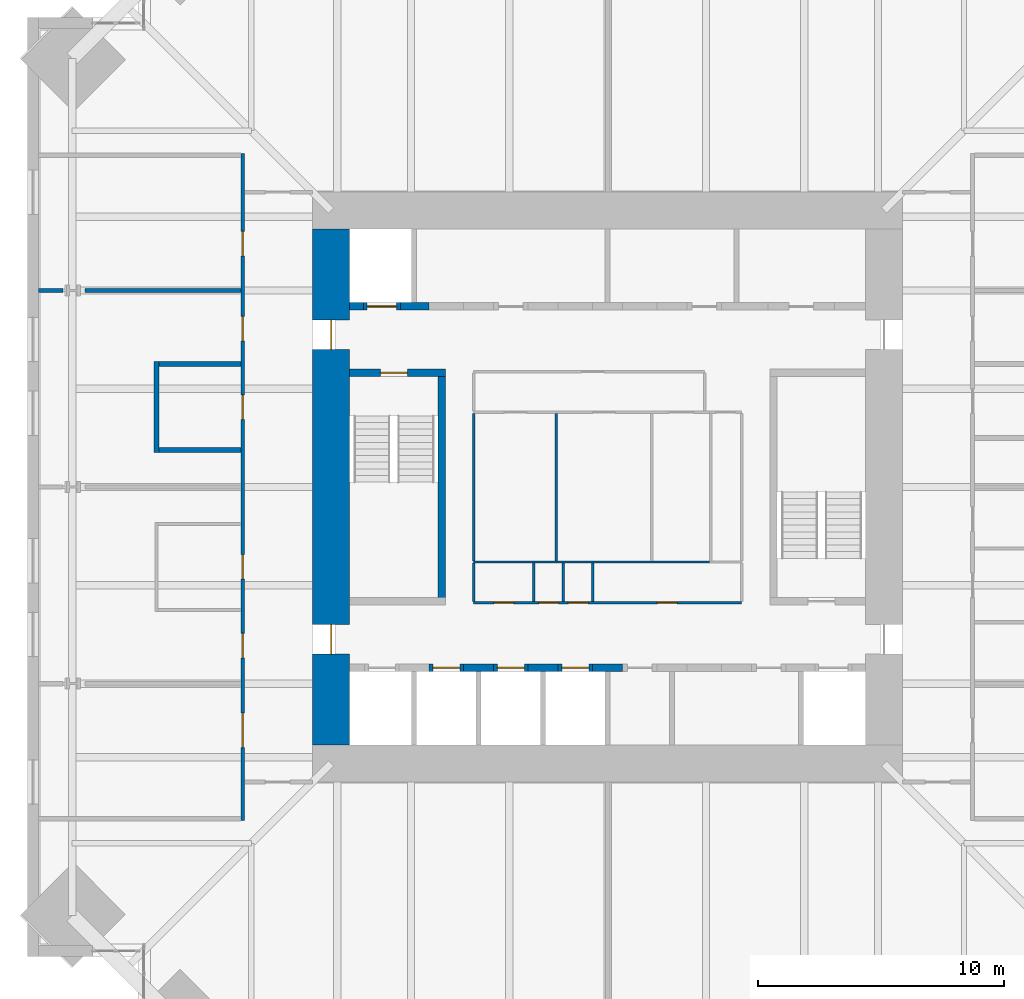
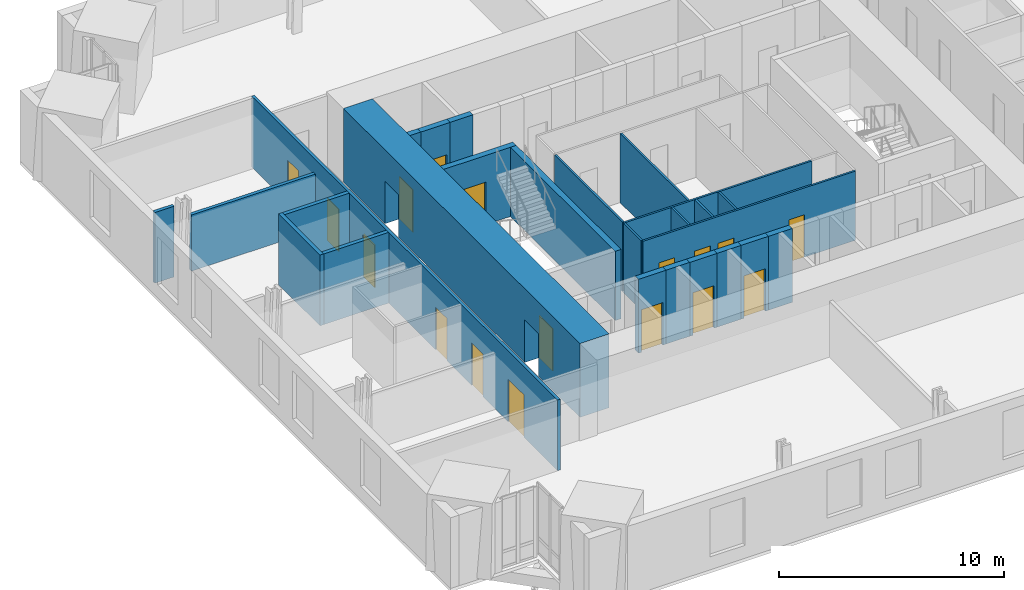
# One storey, part 11 of 15: 26 walls, 17 doors, 17 openings.
"""IFC4 building model written with IfcOpenShell, lengths in metres."""

import ifcopenshell
import ifcopenshell.guid

model = None  # the IFC model being written
_history = None  # IfcOwnerHistory: only IFC2X3 demands one
_inside = {}  # id of a spatial element -> (the spatial element, [elements in it])
_under = {}  # id of a project, library or spatial element -> (it, [spatial elements below it])
_declared = {}  # id of a project -> (the project, [libraries it declares])
_typed = {}  # id of a type object -> (the type object, [elements of that type])
_made_of = {}  # id of a material, layer set ... -> (it, [elements and type objects made of it])


def new_model(schema):
    """Start an empty IFC model of exactly this schema.

    Asked for "IFC4X3", IfcOpenShell would pick the latest addendum, in which some entities
    have other attributes; the version numbers below select the first issue.
    IFC2X3 requires an IfcOwnerHistory on every rooted entity: one is made here for all.
    """
    global model, _history
    if schema == "IFC4X3":
        model = ifcopenshell.file(schema_version=(4, 3, 0, 0))
    else:
        model = ifcopenshell.file(schema=schema)
    _inside.clear()
    _under.clear()
    _declared.clear()
    _typed.clear()
    _made_of.clear()
    _history = None
    if model.schema == "IFC2X3":
        org = make("IfcOrganization", Name="unknown")
        user = make(
            "IfcPersonAndOrganization",
            ThePerson=make("IfcPerson", FamilyName="unknown"),
            TheOrganization=org,
        )
        app = make(
            "IfcApplication",
            ApplicationDeveloper=org,
            Version="unknown",
            ApplicationFullName="unknown",
            ApplicationIdentifier="unknown",
        )
        _history = make(
            "IfcOwnerHistory",
            OwningUser=user,
            OwningApplication=app,
            ChangeAction="ADDED",
            CreationDate=0,
        )
    return model


def make(cls, **values):
    """One entity of the class cls with the attributes given. An attribute that is None is left unset."""
    return model.create_entity(
        cls, **{name: value for name, value in values.items() if value is not None}
    )


def rooted(cls, **values):
    """An entity with a GlobalId (a new one), such as an element, a storey or a relation."""
    return make(cls, GlobalId=ifcopenshell.guid.new(), OwnerHistory=_history, **values)


def si_unit(unit_type, name, prefix=None):
    """IfcSIUnit, for example si_unit("LENGTHUNIT", "METRE", prefix="MILLI")."""
    return make("IfcSIUnit", UnitType=unit_type, Prefix=prefix, Name=name)


def assignment(units):
    """IfcUnitAssignment: the units of a project."""
    return None if units is None else make("IfcUnitAssignment", Units=units)


def point(xyz):
    """IfcCartesianPoint."""
    return None if xyz is None else make("IfcCartesianPoint", Coordinates=xyz)


def direction(xyz):
    """IfcDirection."""
    return None if xyz is None else make("IfcDirection", DirectionRatios=xyz)


def frame(location, z_axis=None, x_axis=None):
    """IfcAxis2Placement3D, a coordinate frame: its origin and axes. An axis left out is left unset."""
    return make(
        "IfcAxis2Placement3D",
        Location=point(location),
        Axis=direction(z_axis),
        RefDirection=direction(x_axis),
    )


def frame_2d(location, x_axis=None):
    """IfcAxis2Placement2D, a coordinate frame in the plane: its origin and x axis."""
    return make(
        "IfcAxis2Placement2D", Location=point(location), RefDirection=direction(x_axis)
    )


def origin():
    """The frame at (0, 0, 0) with its axes left unset."""
    return frame((0.0, 0.0, 0.0))


def place(relative_to, where):
    """IfcLocalPlacement: puts the frame where relative to a parent placement (None: the world)."""
    return make(
        "IfcLocalPlacement", PlacementRelTo=relative_to, RelativePlacement=where
    )


def context(
    kind, dimensions, precision=None, world=None, true_north=None, identifier=None
):
    """IfcGeometricRepresentationContext, for example the 3D "Model" context."""
    return make(
        "IfcGeometricRepresentationContext",
        ContextIdentifier=identifier,
        ContextType=kind,
        CoordinateSpaceDimension=dimensions,
        Precision=precision,
        WorldCoordinateSystem=world,
        TrueNorth=true_north,
    )


def subcontext(parent, identifier, kind, view, scale=None):
    """IfcGeometricRepresentationSubContext, for example "Body" below "Model"."""
    return make(
        "IfcGeometricRepresentationSubContext",
        ContextIdentifier=identifier,
        ContextType=kind,
        ParentContext=parent,
        TargetScale=scale,
        TargetView=view,
    )


def project(units=None, contexts=None):
    """IfcProject with its units and contexts."""
    return rooted(
        "IfcProject",
        Name="project",
        RepresentationContexts=contexts,
        UnitsInContext=assignment(units),
    )


def spatial(cls, under=None, at=None, **own):
    """A site, building, storey or space (cls), placed at a placement, below another one or the project."""
    s = rooted(cls, ObjectPlacement=at, **own)
    if under is not None:
        _under.setdefault(under.id(), (under, []))[1].append(s)
    return s


def profile(cls, at=None, kind="AREA", **sizes):
    """A parametric profile (cls). Its sizes go by their IFC names, for example OverallWidth=200.0."""
    return make(cls, ProfileType=kind, Position=at, **sizes)


def rectangle(**sizes):
    """IfcRectangleProfileDef."""
    return profile("IfcRectangleProfileDef", **sizes)


def extrude(swept, where, along, depth):
    """IfcExtrudedAreaSolid: the profile swept, set in the frame where, extruded along a direction by depth."""
    return make(
        "IfcExtrudedAreaSolid",
        SweptArea=swept,
        Position=where,
        ExtrudedDirection=direction(along),
        Depth=depth,
    )


def shape(context_of_items, identifier, shape_type, items):
    """IfcShapeRepresentation: the items that make up one representation, for example the "Body"."""
    return make(
        "IfcShapeRepresentation",
        ContextOfItems=context_of_items,
        RepresentationIdentifier=identifier,
        RepresentationType=shape_type,
        Items=items,
    )


def material(Name=None, Category=None):
    """IfcMaterial."""
    return make("IfcMaterial", Name=Name, Category=Category)


def layer(
    of_material, thickness, ventilated=None, Name=None, Category=None, Priority=None
):
    """IfcMaterialLayer: one layer of a wall or slab, of a material (None: an air gap)."""
    return make(
        "IfcMaterialLayer",
        Material=of_material,
        LayerThickness=thickness,
        IsVentilated=ventilated,
        Name=Name,
        Category=Category,
        Priority=Priority,
    )


def layer_set(layers, Name=None):
    """IfcMaterialLayerSet."""
    return make("IfcMaterialLayerSet", MaterialLayers=layers, LayerSetName=Name)


def made_of(thing, what):
    """Note that an element or type object is made of a material, layer set ...; save() writes the relation."""
    if what is not None:
        _made_of.setdefault(what.id(), (what, []))[1].append(thing)
    return thing


def type_object(cls, material=None, **own):
    """A type object (cls), such as IfcWallType, which elements share."""
    return made_of(rooted(cls, **own), material)


def element(
    cls,
    number,
    at=None,
    inside=None,
    cuts=None,
    type_object=None,
    material=None,
    context=None,
    identifier="Body",
    shape_type=None,
    held_by="IfcProductDefinitionShape",
    body=None,
    shapes=None,
    **own,
):
    """One element of the class cls, such as IfcWall. Its Tag is "e" and its number.

    at: its placement. inside: the storey or other place that contains it. cuts: it is an
    opening in that element (IfcRelVoidsElement). A single representation is given by context,
    identifier, shape_type and body (its items); several are given by shapes. held_by: the class
    of the entity that holds the representations. save() writes the other relations.
    """
    e = rooted(cls, Tag="e%d" % number, ObjectPlacement=at, **own)
    if body is not None:
        shapes = [shape(context, identifier, shape_type, body)]
    if shapes is not None:
        e.Representation = make(held_by, Representations=shapes)
    if inside is not None:
        _inside.setdefault(inside.id(), (inside, []))[1].append(e)
    if cuts is not None:
        rooted(
            "IfcRelVoidsElement", RelatingBuildingElement=cuts, RelatedOpeningElement=e
        )
    if type_object is not None:
        _typed.setdefault(type_object.id(), (type_object, []))[1].append(e)
    return made_of(e, material)


def fill(opening, filler):
    """IfcRelFillsElement: the door or window that sits in an opening."""
    return rooted(
        "IfcRelFillsElement",
        RelatingOpeningElement=opening,
        RelatedBuildingElement=filler,
    )


def aggregate(whole, parts):
    """IfcRelAggregates: a whole, such as a stair, and the parts it consists of."""
    return rooted("IfcRelAggregates", RelatingObject=whole, RelatedObjects=parts)


def save(model, path):
    """Write the relations noted so far, then the file.

    IfcRelAggregates (storeys below a building ...), IfcRelContainedInSpatialStructure (elements
    in a storey), IfcRelDefinesByType, IfcRelAssociatesMaterial and IfcRelDeclares: one each for
    every whole, place, type object, material and project.
    """
    for whole, parts in _under.values():
        aggregate(whole, parts)
    for where, things in _inside.values():
        rooted(
            "IfcRelContainedInSpatialStructure",
            RelatedElements=things,
            RelatingStructure=where,
        )
    for kind, things in _typed.values():
        rooted("IfcRelDefinesByType", RelatedObjects=things, RelatingType=kind)
    for what, things in _made_of.values():
        rooted("IfcRelAssociatesMaterial", RelatedObjects=things, RelatingMaterial=what)
    for by, libraries in _declared.values():
        rooted("IfcRelDeclares", RelatingContext=by, RelatedDefinitions=libraries)
    model.write(path)


model = new_model("IFC4")

# Units and contexts
model_context = context("Model", 3, precision=1e-05, world=origin(), true_north=direction((0.0, 1.0)))
body_context = subcontext(model_context, "Body", "Model", "MODEL_VIEW")
ifc_project = project(units=[si_unit("LENGTHUNIT", "METRE"), si_unit("AREAUNIT", "SQUARE_METRE"), si_unit("VOLUMEUNIT", "CUBIC_METRE"), si_unit("PLANEANGLEUNIT", "RADIAN"), si_unit("MASSUNIT", "GRAM", prefix="KILO")], contexts=[model_context])

# Site, building, storey
site_placement = place(None, origin())
site = spatial("IfcSite", under=ifc_project, at=site_placement, CompositionType="ELEMENT")
building_placement = place(site_placement, origin())
building = spatial("IfcBuilding", under=site, at=building_placement, Name="Peilmerk Tower", CompositionType="ELEMENT")
storey_placement = place(building_placement, frame((0.0, 0.0, 225.800048828125)))
storey = spatial("IfcBuildingStorey", under=building, at=storey_placement, Name="L49", CompositionType="ELEMENT", Elevation=225.800048828125)

# Wall, openings, doors
ifc_material_1 = material(Name="Calcium silicate block", Category="masonry")
ifc_layer_1 = layer(ifc_material_1, 0.14990234375)
ifc_layer_set_1 = layer_set([ifc_layer_1], Name="Calcium silicate block")
wall_type_1 = type_object("IfcWallType", Name="IW1 150 corridor partition, EI 60", PredefinedType="PARTITIONING", material=ifc_layer_set_1)
wall_1_placement = place(storey_placement, frame((-14.85009765625, 13.574951171875, 0.0), z_axis=(0.0, 0.0, 1.0), x_axis=(0.0, -1.0, 0.0)))
wall_1 = element("IfcWall", 1, at=wall_1_placement, inside=storey, type_object=wall_type_1, Name="Corridor wall W L49", PredefinedType="PARTITIONING", context=body_context, shape_type="SweptSolid", body=[
    extrude(rectangle(XDim=27.14990234375, YDim=0.14990234375, at=frame_2d((13.574951171875, 0.0))), origin(), (0.0, 0.0, 1.0), 3.829833984375),
])
opening_1_placement = place(wall_1_placement, frame((22.77490234375, 0.0, 0.0)))
opening_1 = element("IfcOpeningElement", 2, at=opening_1_placement, cuts=wall_1, Name="Opening D8", PredefinedType="OPENING", context=body_context, shape_type="SweptSolid", body=[
    extrude(rectangle(XDim=1.39990234375, YDim=2.300048828125, at=frame_2d((0.699951171875, 1.14990234375))), frame((0.0, 0.0849609375, 0.0), z_axis=(0.0, -1.0, 0.0), x_axis=(1.0, 0.0, 0.0)), (0.0, 0.0, 1.0), 0.169921875),
])
opening_2_placement = place(wall_1_placement, frame((19.52490234375, 0.0, 0.0)))
opening_2 = element("IfcOpeningElement", 3, at=opening_2_placement, cuts=wall_1, Name="Opening D1", PredefinedType="OPENING", context=body_context, shape_type="SweptSolid", body=[
    extrude(rectangle(XDim=1.0, YDim=2.300048828125, at=frame_2d((0.5, 1.14990234375))), frame((0.0, 0.0849609375, 0.0), z_axis=(0.0, -1.0, 0.0), x_axis=(1.0, 0.0, 0.0)), (0.0, 0.0, 1.0), 0.169921875),
])
opening_3_placement = place(wall_1_placement, frame((6.625, 0.0, 0.0)))
opening_3 = element("IfcOpeningElement", 4, at=opening_3_placement, cuts=wall_1, Name="Opening D1", PredefinedType="OPENING", context=body_context, shape_type="SweptSolid", body=[
    extrude(rectangle(XDim=1.0, YDim=2.300048828125, at=frame_2d((0.5, 1.14990234375))), frame((0.0, 0.0849609375, 0.0), z_axis=(0.0, -1.0, 0.0), x_axis=(1.0, 0.0, 0.0)), (0.0, 0.0, 1.0), 0.169921875),
])
opening_4_placement = place(wall_1_placement, frame((3.175048828125, 0.0, 0.0)))
opening_4 = element("IfcOpeningElement", 5, at=opening_4_placement, cuts=wall_1, Name="Opening D1", PredefinedType="OPENING", context=body_context, shape_type="SweptSolid", body=[
    extrude(rectangle(XDim=1.0, YDim=2.300048828125, at=frame_2d((0.5, 1.14990234375))), frame((0.0, 0.0849609375, 0.0), z_axis=(0.0, -1.0, 0.0), x_axis=(1.0, 0.0, 0.0)), (0.0, 0.0, 1.0), 0.169921875),
])
opening_5_placement = place(wall_1_placement, frame((16.324951171875, 0.0, 0.0)))
opening_5 = element("IfcOpeningElement", 6, at=opening_5_placement, cuts=wall_1, Name="Opening D1", PredefinedType="OPENING", context=body_context, shape_type="SweptSolid", body=[
    extrude(rectangle(XDim=1.0, YDim=2.300048828125, at=frame_2d((0.5, 1.14990234375))), frame((0.0, 0.0849609375, 0.0), z_axis=(0.0, -1.0, 0.0), x_axis=(1.0, 0.0, 0.0)), (0.0, 0.0, 1.0), 0.169921875),
])
opening_6_placement = place(wall_1_placement, frame((9.824951171875, 0.0, 0.0)))
opening_6 = element("IfcOpeningElement", 7, at=opening_6_placement, cuts=wall_1, Name="Opening D1", PredefinedType="OPENING", context=body_context, shape_type="SweptSolid", body=[
    extrude(rectangle(XDim=1.0, YDim=2.300048828125, at=frame_2d((0.5, 1.14990234375))), frame((0.0, 0.0849609375, 0.0), z_axis=(0.0, -1.0, 0.0), x_axis=(1.0, 0.0, 0.0)), (0.0, 0.0, 1.0), 0.169921875),
])
ifc_material_2 = material(Name="Timber door in steel frame", Category="steel")
door_type_1 = type_object("IfcDoorType", Name="D1 1000x2300 room door, EI2 30", OperationType="SINGLE_SWING_LEFT", PredefinedType="DOOR", material=ifc_material_2)
door_1_placement = place(opening_2_placement, frame((1.0, 0.0, 0.0), z_axis=(0.0, 0.0, 1.0), x_axis=(-1.0, 0.0, 0.0)))
door_1 = element("IfcDoor", 8, at=door_1_placement, inside=storey, type_object=door_type_1, Name="Door Office L49", OperationType="SINGLE_SWING_LEFT", OverallHeight=2.300048828125, OverallWidth=1.0, PredefinedType="DOOR", context=body_context, shape_type="SweptSolid", body=[
    extrude(rectangle(XDim=1.0, YDim=2.300048828125, at=frame_2d((0.5, 1.14990234375))), frame((0.0, 0.02490234375, 0.0), z_axis=(0.0, -1.0, 0.0), x_axis=(1.0, 0.0, 0.0)), (0.0, 0.0, 1.0), 0.050048828125),
])
fill(opening_2, door_1)
door_2_placement = place(opening_3_placement, frame((1.0, 0.0, 0.0), z_axis=(0.0, 0.0, 1.0), x_axis=(-1.0, 0.0, 0.0)))
door_2 = element("IfcDoor", 9, at=door_2_placement, inside=storey, type_object=door_type_1, Name="Door Office L49", OperationType="SINGLE_SWING_LEFT", OverallHeight=2.300048828125, OverallWidth=1.0, PredefinedType="DOOR", context=body_context, shape_type="SweptSolid", body=[
    extrude(rectangle(XDim=1.0, YDim=2.300048828125, at=frame_2d((0.5, 1.14990234375))), frame((0.0, 0.02490234375, 0.0), z_axis=(0.0, -1.0, 0.0), x_axis=(1.0, 0.0, 0.0)), (0.0, 0.0, 1.0), 0.050048828125),
])
fill(opening_3, door_2)
door_3_placement = place(opening_4_placement, frame((1.0, 0.0, 0.0), z_axis=(0.0, 0.0, 1.0), x_axis=(-1.0, 0.0, 0.0)))
door_3 = element("IfcDoor", 10, at=door_3_placement, inside=storey, type_object=door_type_1, Name="Door Office L49", OperationType="SINGLE_SWING_LEFT", OverallHeight=2.300048828125, OverallWidth=1.0, PredefinedType="DOOR", context=body_context, shape_type="SweptSolid", body=[
    extrude(rectangle(XDim=1.0, YDim=2.300048828125, at=frame_2d((0.5, 1.14990234375))), frame((0.0, 0.02490234375, 0.0), z_axis=(0.0, -1.0, 0.0), x_axis=(1.0, 0.0, 0.0)), (0.0, 0.0, 1.0), 0.050048828125),
])
fill(opening_4, door_3)
door_4_placement = place(opening_5_placement, frame((1.0, 0.0, 0.0), z_axis=(0.0, 0.0, 1.0), x_axis=(-1.0, 0.0, 0.0)))
door_4 = element("IfcDoor", 11, at=door_4_placement, inside=storey, type_object=door_type_1, Name="Door Pantry L49", OperationType="SINGLE_SWING_LEFT", OverallHeight=2.300048828125, OverallWidth=1.0, PredefinedType="DOOR", context=body_context, shape_type="SweptSolid", body=[
    extrude(rectangle(XDim=1.0, YDim=2.300048828125, at=frame_2d((0.5, 1.14990234375))), frame((0.0, 0.02490234375, 0.0), z_axis=(0.0, -1.0, 0.0), x_axis=(1.0, 0.0, 0.0)), (0.0, 0.0, 1.0), 0.050048828125),
])
fill(opening_5, door_4)
door_5_placement = place(opening_6_placement, frame((1.0, 0.0, 0.0), z_axis=(0.0, 0.0, 1.0), x_axis=(-1.0, 0.0, 0.0)))
door_5 = element("IfcDoor", 12, at=door_5_placement, inside=storey, type_object=door_type_1, Name="Door Project room L49", OperationType="SINGLE_SWING_LEFT", OverallHeight=2.300048828125, OverallWidth=1.0, PredefinedType="DOOR", context=body_context, shape_type="SweptSolid", body=[
    extrude(rectangle(XDim=1.0, YDim=2.300048828125, at=frame_2d((0.5, 1.14990234375))), frame((0.0, 0.02490234375, 0.0), z_axis=(0.0, -1.0, 0.0), x_axis=(1.0, 0.0, 0.0)), (0.0, 0.0, 1.0), 0.050048828125),
])
fill(opening_6, door_5)
door_type_2 = type_object("IfcDoorType", Name="D8 1400x2300 leaf-and-a-half door, EI2 30", OperationType="DOUBLE_DOOR_SINGLE_SWING", PredefinedType="DOOR", material=ifc_material_2)
door_6_placement = place(opening_1_placement, frame((1.39990234375, 0.0, 0.0), z_axis=(0.0, 0.0, 1.0), x_axis=(-1.0, 0.0, 0.0)))
door_6 = element("IfcDoor", 13, at=door_6_placement, inside=storey, type_object=door_type_2, Name="Door Library L49", OperationType="DOUBLE_DOOR_SINGLE_SWING", OverallHeight=2.300048828125, OverallWidth=1.39990234375, PredefinedType="DOOR", context=body_context, shape_type="SweptSolid", body=[
    extrude(rectangle(XDim=1.39990234375, YDim=2.300048828125, at=frame_2d((0.699951171875, 1.14990234375))), frame((0.0, 0.02490234375, 0.0), z_axis=(0.0, -1.0, 0.0), x_axis=(1.0, 0.0, 0.0)), (0.0, 0.0, 1.0), 0.050048828125),
])
fill(opening_1, door_6)

# Walls
ifc_layer_2 = layer(ifc_material_1, 0.199951171875)
ifc_layer_set_2 = layer_set([ifc_layer_2], Name="Calcium silicate block")
wall_type_2 = type_object("IfcWallType", Name="IW2 200 room separating wall, EI 120", PredefinedType="PARTITIONING", material=ifc_layer_set_2)
wall_2_placement = place(storey_placement, frame((-18.35009765625, 1.39990234375, 0.0), z_axis=(0.0, 0.0, 1.0), x_axis=(0.0, 1.0, 0.0)))
element("IfcWall", 14, at=wall_2_placement, inside=storey, type_object=wall_type_2, Name="Room separating wall Project room L49", PredefinedType="PARTITIONING", context=body_context, shape_type="SweptSolid", body=[
    extrude(rectangle(XDim=3.7001953125, YDim=0.199951171875, at=frame_2d((1.85009765625, 0.0))), origin(), (0.0, 0.0, 1.0), 3.829833984375),
])
for number, where, z_axis, x_axis, name in (
    (15, (-14.925048828125, 1.5, 0.0), (0.0, 0.0, 1.0), (-1.0, 0.0, 0.0), "Room separating wall Project room L49"),
    (16, (-14.925048828125, 5.0, 0.0), (0.0, 0.0, 1.0), (-1.0, 0.0, 0.0), "Room separating wall Project room L49"),
):
    element("IfcWall", number, at=place(storey_placement, frame(where, z_axis=z_axis, x_axis=x_axis)), inside=storey, type_object=wall_type_2, Name=name, PredefinedType="PARTITIONING", context=body_context, shape_type="SweptSolid", body=[
        extrude(rectangle(XDim=3.324951171875, YDim=0.199951171875, at=frame_2d((1.66259765625, 0.0))), origin(), (0.0, 0.0, 1.0), 3.829833984375),
    ])
ifc_material_3 = material(Name="Concrete C35/45", Category="concrete")
ifc_layer_3 = layer(ifc_material_3, 0.300048828125)
ifc_layer_set_3 = layer_set([ifc_layer_3], Name="Concrete C35/45")
wall_type_3 = type_object("IfcWallType", Name="IW3 300 concrete stair enclosure wall, EI 120", PredefinedType="SOLIDWALL", material=ifc_layer_set_3)
wall_3_placement = place(storey_placement, frame((-6.75, -4.800048828125, 0.0), z_axis=(0.0, 0.0, 1.0), x_axis=(0.0, 1.0, 0.0)))
element("IfcWall", 17, at=wall_3_placement, inside=storey, type_object=wall_type_3, Name="Stair 1 enclosure L49", PredefinedType="SOLIDWALL", context=body_context, shape_type="SweptSolid", body=[
    extrude(rectangle(XDim=9.60009765625, YDim=0.300048828125, at=frame_2d((4.800048828125, 0.0))), origin(), (0.0, 0.0, 1.0), 3.75),
])

# Wall, opening, door
wall_4_placement = place(storey_placement, frame((-10.5, 4.64990234375, 0.0), z_axis=(0.0, 0.0, 1.0), x_axis=(1.0, 0.0, 0.0)))
wall_4 = element("IfcWall", 18, at=wall_4_placement, inside=storey, type_object=wall_type_3, Name="Stair 1 enclosure L49", PredefinedType="SOLIDWALL", context=body_context, shape_type="SweptSolid", body=[
    extrude(rectangle(XDim=3.89990234375, YDim=0.300048828125, at=frame_2d((1.949951171875, 0.0))), origin(), (0.0, 0.0, 1.0), 3.75),
])
opening_7_placement = place(wall_4_placement, frame((1.25, 0.0, 0.0)))
opening_7 = element("IfcOpeningElement", 19, at=opening_7_placement, cuts=wall_4, Name="Opening D4", PredefinedType="OPENING", context=body_context, shape_type="SweptSolid", body=[
    extrude(rectangle(XDim=1.10009765625, YDim=2.300048828125, at=frame_2d((0.550048828125, 1.14990234375))), frame((0.0, 0.159912109375, 0.0), z_axis=(0.0, -1.0, 0.0), x_axis=(1.0, 0.0, 0.0)), (0.0, 0.0, 1.0), 0.320068359375),
])
ifc_material_4 = material(Name="Steel door in steel frame", Category="steel")
door_type_3 = type_object("IfcDoorType", Name="D4 1100x2300 stair door, EI2 60", OperationType="SINGLE_SWING_RIGHT", PredefinedType="DOOR", material=ifc_material_4)
door_7_placement = place(opening_7_placement, frame((1.10009765625, 0.0, 0.0), z_axis=(0.0, 0.0, 1.0), x_axis=(-1.0, 0.0, 0.0)))
door_7 = element("IfcDoor", 20, at=door_7_placement, inside=storey, type_object=door_type_3, Name="Stair 1 door L49", OperationType="SINGLE_SWING_RIGHT", OverallHeight=2.300048828125, OverallWidth=1.10009765625, PredefinedType="DOOR", context=body_context, shape_type="SweptSolid", body=[
    extrude(rectangle(XDim=1.10009765625, YDim=2.300048828125, at=frame_2d((0.550048828125, 1.14990234375))), frame((0.0, 0.02490234375, 0.0), z_axis=(0.0, -1.0, 0.0), x_axis=(1.0, 0.0, 0.0)), (0.0, 0.0, 1.0), 0.050048828125),
])
fill(opening_7, door_7)

# Walls
ifc_material_5 = material(Name="Plasterboard on steel studs", Category="steel")
ifc_layer_4 = layer(ifc_material_5, 0.10009765625)
ifc_layer_set_4 = layer_set([ifc_layer_4], Name="Plasterboard on steel studs")
wall_type_4 = type_object("IfcWallType", Name="IW4 100 WC partition", PredefinedType="PARTITIONING", material=ifc_layer_set_4)
wall_5_placement = place(storey_placement, frame((4.14990234375, -3.050048828125, 0.0), z_axis=(0.0, 0.0, 1.0), x_axis=(-1.0, 0.0, 0.0)))
element("IfcWall", 21, at=wall_5_placement, inside=storey, type_object=wall_type_4, Name="WC wall L49", PredefinedType="PARTITIONING", context=body_context, shape_type="SweptSolid", body=[
    extrude(rectangle(XDim=9.599853515625, YDim=0.10009765625, at=frame_2d((4.7998046875, 0.0))), origin(), (0.0, 0.0, 1.0), 3.75),
])
for number, where, z_axis, x_axis, name in (
    (22, (-5.449951171875, -3.0, 0.0), (0.0, 0.0, 1.0), (0.0, 1.0, 0.0), "WC wall L49"),
    (23, (-2.10009765625, -3.0, 0.0), (0.0, 0.0, 1.0), (0.0, 1.0, 0.0), "WC wall L49"),
):
    element("IfcWall", number, at=place(storey_placement, frame(where, z_axis=z_axis, x_axis=x_axis)), inside=storey, type_object=wall_type_4, Name=name, PredefinedType="PARTITIONING", context=body_context, shape_type="SweptSolid", body=[
        extrude(rectangle(XDim=6.0, YDim=0.10009765625, at=frame_2d((3.0, 0.0))), origin(), (0.0, 0.0, 1.0), 3.75),
    ])

# Wall, openings, doors
ifc_material_6 = material(Name="Calcium silicate board on steel studs", Category="steel")
ifc_layer_5 = layer(ifc_material_6, 0.10009765625)
ifc_layer_set_5 = layer_set([ifc_layer_5], Name="Calcium silicate board on steel studs")
wall_type_5 = type_object("IfcWallType", Name="IW5 100 riser enclosure wall, EI 60", PredefinedType="PARTITIONING", material=ifc_layer_set_5)
wall_6_placement = place(storey_placement, frame((5.449951171875, -4.699951171875, 0.0), z_axis=(0.0, 0.0, 1.0), x_axis=(-1.0, 0.0, 0.0)))
wall_6 = element("IfcWall", 24, at=wall_6_placement, inside=storey, type_object=wall_type_5, Name="Riser wall L49", PredefinedType="PARTITIONING", context=body_context, shape_type="SweptSolid", body=[
    extrude(rectangle(XDim=10.89990234375, YDim=0.10009765625, at=frame_2d((5.449951171875, 0.0))), origin(), (0.0, 0.0, 1.0), 3.75),
])
opening_8_placement = place(wall_6_placement, frame((9.27490234375, 0.0, 0.0)))
opening_8 = element("IfcOpeningElement", 25, at=opening_8_placement, cuts=wall_6, Name="Opening D7", PredefinedType="OPENING", context=body_context, shape_type="SweptSolid", body=[
    extrude(rectangle(XDim=0.800048828125, YDim=2.300048828125, at=frame_2d((0.39990234375, 1.14990234375))), frame((0.0, 0.06005859375, 0.0), z_axis=(0.0, -1.0, 0.0), x_axis=(1.0, 0.0, 0.0)), (0.0, 0.0, 1.0), 0.1201171875),
])
opening_9_placement = place(wall_6_placement, frame((7.449951171875, 0.0, 0.0)))
opening_9 = element("IfcOpeningElement", 26, at=opening_9_placement, cuts=wall_6, Name="Opening D7", PredefinedType="OPENING", context=body_context, shape_type="SweptSolid", body=[
    extrude(rectangle(XDim=0.800048828125, YDim=2.300048828125, at=frame_2d((0.39990234375, 1.14990234375))), frame((0.0, 0.06005859375, 0.0), z_axis=(0.0, -1.0, 0.0), x_axis=(1.0, 0.0, 0.0)), (0.0, 0.0, 1.0), 0.1201171875),
])
opening_10_placement = place(wall_6_placement, frame((6.25, 0.0, 0.0)))
opening_10 = element("IfcOpeningElement", 27, at=opening_10_placement, cuts=wall_6, Name="Opening D7", PredefinedType="OPENING", context=body_context, shape_type="SweptSolid", body=[
    extrude(rectangle(XDim=0.800048828125, YDim=2.300048828125, at=frame_2d((0.39990234375, 1.14990234375))), frame((0.0, 0.06005859375, 0.0), z_axis=(0.0, -1.0, 0.0), x_axis=(1.0, 0.0, 0.0)), (0.0, 0.0, 1.0), 0.1201171875),
])
opening_11_placement = place(wall_6_placement, frame((2.625, 0.0, 0.0)))
opening_11 = element("IfcOpeningElement", 28, at=opening_11_placement, cuts=wall_6, Name="Opening D7", PredefinedType="OPENING", context=body_context, shape_type="SweptSolid", body=[
    extrude(rectangle(XDim=0.800048828125, YDim=2.300048828125, at=frame_2d((0.39990234375, 1.14990234375))), frame((0.0, 0.06005859375, 0.0), z_axis=(0.0, -1.0, 0.0), x_axis=(1.0, 0.0, 0.0)), (0.0, 0.0, 1.0), 0.1201171875),
])
door_type_4 = type_object("IfcDoorType", Name="D7 800x2300 riser access door, EI2 60", OperationType="SINGLE_SWING_RIGHT", PredefinedType="DOOR", material=ifc_material_4)
door_8_placement = place(opening_8_placement, frame((0.800048828125, 0.0, 0.0), z_axis=(0.0, 0.0, 1.0), x_axis=(-1.0, 0.0, 0.0)))
door_8 = element("IfcDoor", 29, at=door_8_placement, inside=storey, type_object=door_type_4, Name="Cleaner's cupboard door L49", OperationType="SINGLE_SWING_RIGHT", OverallHeight=2.300048828125, OverallWidth=0.800048828125, PredefinedType="DOOR", context=body_context, shape_type="SweptSolid", body=[
    extrude(rectangle(XDim=0.800048828125, YDim=2.300048828125, at=frame_2d((0.39990234375, 1.14990234375))), frame((0.0, 0.02490234375, 0.0), z_axis=(0.0, -1.0, 0.0), x_axis=(1.0, 0.0, 0.0)), (0.0, 0.0, 1.0), 0.050048828125),
])
fill(opening_8, door_8)
door_9_placement = place(opening_9_placement, frame((0.800048828125, 0.0, 0.0), z_axis=(0.0, 0.0, 1.0), x_axis=(-1.0, 0.0, 0.0)))
door_9 = element("IfcDoor", 30, at=door_9_placement, inside=storey, type_object=door_type_4, Name="Electrical riser door L49", OperationType="SINGLE_SWING_RIGHT", OverallHeight=2.300048828125, OverallWidth=0.800048828125, PredefinedType="DOOR", context=body_context, shape_type="SweptSolid", body=[
    extrude(rectangle(XDim=0.800048828125, YDim=2.300048828125, at=frame_2d((0.39990234375, 1.14990234375))), frame((0.0, 0.02490234375, 0.0), z_axis=(0.0, -1.0, 0.0), x_axis=(1.0, 0.0, 0.0)), (0.0, 0.0, 1.0), 0.050048828125),
])
fill(opening_9, door_9)
door_10_placement = place(opening_10_placement, frame((0.800048828125, 0.0, 0.0), z_axis=(0.0, 0.0, 1.0), x_axis=(-1.0, 0.0, 0.0)))
door_10 = element("IfcDoor", 31, at=door_10_placement, inside=storey, type_object=door_type_4, Name="Data riser door L49", OperationType="SINGLE_SWING_RIGHT", OverallHeight=2.300048828125, OverallWidth=0.800048828125, PredefinedType="DOOR", context=body_context, shape_type="SweptSolid", body=[
    extrude(rectangle(XDim=0.800048828125, YDim=2.300048828125, at=frame_2d((0.39990234375, 1.14990234375))), frame((0.0, 0.02490234375, 0.0), z_axis=(0.0, -1.0, 0.0), x_axis=(1.0, 0.0, 0.0)), (0.0, 0.0, 1.0), 0.050048828125),
])
fill(opening_10, door_10)
door_11_placement = place(opening_11_placement, frame((0.800048828125, 0.0, 0.0), z_axis=(0.0, 0.0, 1.0), x_axis=(-1.0, 0.0, 0.0)))
door_11 = element("IfcDoor", 32, at=door_11_placement, inside=storey, type_object=door_type_4, Name="Comms room door L49", OperationType="SINGLE_SWING_RIGHT", OverallHeight=2.300048828125, OverallWidth=0.800048828125, PredefinedType="DOOR", context=body_context, shape_type="SweptSolid", body=[
    extrude(rectangle(XDim=0.800048828125, YDim=2.300048828125, at=frame_2d((0.39990234375, 1.14990234375))), frame((0.0, 0.02490234375, 0.0), z_axis=(0.0, -1.0, 0.0), x_axis=(1.0, 0.0, 0.0)), (0.0, 0.0, 1.0), 0.050048828125),
])
fill(opening_11, door_11)

# Walls
for number, where, z_axis, x_axis, name in (
    (33, (-5.449951171875, -3.10009765625, 0.0), (0.0, 0.0, 1.0), (0.0, -1.0, 0.0), "Riser wall L49"),
    (34, (-3.0, -3.10009765625, 0.0), (0.0, 0.0, 1.0), (0.0, -1.0, 0.0), "Riser wall L49"),
    (35, (-1.800048828125, -3.10009765625, 0.0), (0.0, 0.0, 1.0), (0.0, -1.0, 0.0), "Riser wall L49"),
    (36, (-0.60009765625, -3.10009765625, 0.0), (0.0, 0.0, 1.0), (0.0, -1.0, 0.0), "Riser wall L49"),
):
    element("IfcWall", number, at=place(storey_placement, frame(where, z_axis=z_axis, x_axis=x_axis)), inside=storey, type_object=wall_type_5, Name=name, PredefinedType="PARTITIONING", context=body_context, shape_type="SweptSolid", body=[
        extrude(rectangle(XDim=1.5498046875, YDim=0.10009765625, at=frame_2d((0.77490234375, 0.0))), origin(), (0.0, 0.0, 1.0), 3.75),
    ])
ifc_layer_6 = layer(ifc_material_1, 0.175048828125)
ifc_layer_set_6 = layer_set([ifc_layer_6], Name="Calcium silicate block")
wall_type_6 = type_object("IfcWallType", Name="IW8 175 tenant separating wall, EI 60", PredefinedType="PARTITIONING", material=ifc_layer_set_6)
wall_7_placement = place(storey_placement, frame((-14.925048828125, 8.0, 0.0), z_axis=(0.0, 0.0, 1.0), x_axis=(-1.0, 0.0, 0.0)))
element("IfcWall", 37, at=wall_7_placement, inside=storey, type_object=wall_type_6, Name="Tenant separating wall W3 L49", PredefinedType="PARTITIONING", context=body_context, shape_type="SweptSolid", body=[
    extrude(rectangle(XDim=6.341552734375, YDim=0.175048828125, at=frame_2d((3.1708984375, 0.0))), origin(), (0.0, 0.0, 1.0), 3.0400390625),
])
wall_8_placement = place(storey_placement, frame((-22.156005859375, 8.0, 0.0), z_axis=(0.0, 0.0, 1.0), x_axis=(-1.0, 0.0, 0.0)))
element("IfcWall", 38, at=wall_8_placement, inside=storey, type_object=wall_type_6, Name="Tenant separating wall W3b L49", PredefinedType="PARTITIONING", context=body_context, shape_type="SweptSolid", body=[
    extrude(rectangle(XDim=0.993896484375, YDim=0.175048828125, at=frame_2d((0.4970703125, 0.0))), origin(), (0.0, 0.0, 1.0), 3.829833984375),
])

# Wall, opening, door
ifc_layer_7 = layer(ifc_material_1, 0.300048828125)
ifc_layer_set_7 = layer_set([ifc_layer_7], Name="Calcium silicate block")
wall_type_7 = type_object("IfcWallType", Name="SH2 300 lift landing door panel, EI 120", PredefinedType="PARTITIONING", material=ifc_layer_set_7)
wall_9_placement = place(storey_placement, frame((-9.9375, 7.35009765625, 0.0), z_axis=(0.0, 0.0, 1.0), x_axis=(1.0, 0.0, 0.0)))
wall_9 = element("IfcWall", 39, at=wall_9_placement, inside=storey, type_object=wall_type_7, Name="Lift door panel N FL1 L49", PredefinedType="PARTITIONING", context=body_context, shape_type="SweptSolid", body=[
    extrude(rectangle(XDim=1.5, YDim=0.300048828125, at=frame_2d((0.75, 0.0))), origin(), (0.0, 0.0, 1.0), 4.0),
])
opening_12_placement = place(wall_9_placement, frame((0.14990234375, 0.0, 0.0)))
opening_12 = element("IfcOpeningElement", 40, at=opening_12_placement, cuts=wall_9, Name="Opening LD2", PredefinedType="OPENING", context=body_context, shape_type="SweptSolid", body=[
    extrude(rectangle(XDim=1.199951171875, YDim=2.300048828125, at=frame_2d((0.60009765625, 1.14990234375))), frame((0.0, 0.159912109375, 0.0), z_axis=(0.0, -1.0, 0.0), x_axis=(1.0, 0.0, 0.0)), (0.0, 0.0, 1.0), 0.320068359375),
])
ifc_material_7 = material(Name="Stainless steel landing door", Category="steel")
door_type_5 = type_object("IfcDoorType", Name="LD2 1200x2300 lift landing door, sliding, EI2 60", OperationType="SLIDING_TO_LEFT", PredefinedType="DOOR", material=ifc_material_7)
door_12_placement = place(opening_12_placement, frame((1.199951171875, 0.0, 0.0), z_axis=(0.0, 0.0, 1.0), x_axis=(-1.0, 0.0, 0.0)))
door_12 = element("IfcDoor", 41, at=door_12_placement, inside=storey, type_object=door_type_5, Name="Lift landing door FL1 L49", OperationType="SLIDING_TO_LEFT", OverallHeight=2.300048828125, OverallWidth=1.199951171875, PredefinedType="DOOR", context=body_context, shape_type="SweptSolid", body=[
    extrude(rectangle(XDim=1.199951171875, YDim=2.300048828125, at=frame_2d((0.60009765625, 1.14990234375))), frame((0.0, 0.02490234375, 0.0), z_axis=(0.0, -1.0, 0.0), x_axis=(1.0, 0.0, 0.0)), (0.0, 0.0, 1.0), 0.050048828125),
])
fill(opening_12, door_12)

wall_10_placement = place(storey_placement, frame((-7.262451171875, -7.35009765625, 0.0), z_axis=(0.0, 0.0, 1.0), x_axis=(1.0, 0.0, 0.0)))
wall_10 = element("IfcWall", 42, at=wall_10_placement, inside=storey, type_object=wall_type_7, Name="Lift door panel S C3 L49", PredefinedType="PARTITIONING", context=body_context, shape_type="SweptSolid", body=[
    extrude(rectangle(XDim=1.39990234375, YDim=0.300048828125, at=frame_2d((0.699951171875, 0.0))), origin(), (0.0, 0.0, 1.0), 4.0),
])
opening_13_placement = place(wall_10_placement, frame((0.14990234375, 0.0, 0.0)))
opening_13 = element("IfcOpeningElement", 43, at=opening_13_placement, cuts=wall_10, Name="Opening LD1", PredefinedType="OPENING", context=body_context, shape_type="SweptSolid", body=[
    extrude(rectangle(XDim=1.10009765625, YDim=2.300048828125, at=frame_2d((0.550048828125, 1.14990234375))), frame((0.0, 0.159912109375, 0.0), z_axis=(0.0, -1.0, 0.0), x_axis=(1.0, 0.0, 0.0)), (0.0, 0.0, 1.0), 0.320068359375),
])
door_type_6 = type_object("IfcDoorType", Name="LD1 1100x2300 lift landing door, sliding, EI2 60", OperationType="SLIDING_TO_LEFT", PredefinedType="DOOR", material=ifc_material_7)
door_13_placement = place(opening_13_placement, origin())
door_13 = element("IfcDoor", 44, at=door_13_placement, inside=storey, type_object=door_type_6, Name="Lift landing door C3 L49", OperationType="SLIDING_TO_LEFT", OverallHeight=2.300048828125, OverallWidth=1.10009765625, PredefinedType="DOOR", context=body_context, shape_type="SweptSolid", body=[
    extrude(rectangle(XDim=1.10009765625, YDim=2.300048828125, at=frame_2d((0.550048828125, 1.14990234375))), frame((0.0, 0.02490234375, 0.0), z_axis=(0.0, -1.0, 0.0), x_axis=(1.0, 0.0, 0.0)), (0.0, 0.0, 1.0), 0.050048828125),
])
fill(opening_13, door_13)

wall_11_placement = place(storey_placement, frame((-4.637451171875, -7.35009765625, 0.0), z_axis=(0.0, 0.0, 1.0), x_axis=(1.0, 0.0, 0.0)))
wall_11 = element("IfcWall", 45, at=wall_11_placement, inside=storey, type_object=wall_type_7, Name="Lift door panel S C2 L49", PredefinedType="PARTITIONING", context=body_context, shape_type="SweptSolid", body=[
    extrude(rectangle(XDim=1.39990234375, YDim=0.300048828125, at=frame_2d((0.699951171875, 0.0))), origin(), (0.0, 0.0, 1.0), 4.0),
])
opening_14_placement = place(wall_11_placement, frame((0.14990234375, 0.0, 0.0)))
opening_14 = element("IfcOpeningElement", 46, at=opening_14_placement, cuts=wall_11, Name="Opening LD1", PredefinedType="OPENING", context=body_context, shape_type="SweptSolid", body=[
    extrude(rectangle(XDim=1.10009765625, YDim=2.300048828125, at=frame_2d((0.550048828125, 1.14990234375))), frame((0.0, 0.159912109375, 0.0), z_axis=(0.0, -1.0, 0.0), x_axis=(1.0, 0.0, 0.0)), (0.0, 0.0, 1.0), 0.320068359375),
])
door_14_placement = place(opening_14_placement, origin())
door_14 = element("IfcDoor", 47, at=door_14_placement, inside=storey, type_object=door_type_6, Name="Lift landing door C2 L49", OperationType="SLIDING_TO_LEFT", OverallHeight=2.300048828125, OverallWidth=1.10009765625, PredefinedType="DOOR", context=body_context, shape_type="SweptSolid", body=[
    extrude(rectangle(XDim=1.10009765625, YDim=2.300048828125, at=frame_2d((0.550048828125, 1.14990234375))), frame((0.0, 0.02490234375, 0.0), z_axis=(0.0, -1.0, 0.0), x_axis=(1.0, 0.0, 0.0)), (0.0, 0.0, 1.0), 0.050048828125),
])
fill(opening_14, door_14)

wall_12_placement = place(storey_placement, frame((-2.012451171875, -7.35009765625, 0.0), z_axis=(0.0, 0.0, 1.0), x_axis=(1.0, 0.0, 0.0)))
wall_12 = element("IfcWall", 48, at=wall_12_placement, inside=storey, type_object=wall_type_7, Name="Lift door panel S C1 L49", PredefinedType="PARTITIONING", context=body_context, shape_type="SweptSolid", body=[
    extrude(rectangle(XDim=1.39990234375, YDim=0.300048828125, at=frame_2d((0.699951171875, 0.0))), origin(), (0.0, 0.0, 1.0), 4.0),
])
opening_15_placement = place(wall_12_placement, frame((0.14990234375, 0.0, 0.0)))
opening_15 = element("IfcOpeningElement", 49, at=opening_15_placement, cuts=wall_12, Name="Opening LD1", PredefinedType="OPENING", context=body_context, shape_type="SweptSolid", body=[
    extrude(rectangle(XDim=1.10009765625, YDim=2.300048828125, at=frame_2d((0.550048828125, 1.14990234375))), frame((0.0, 0.159912109375, 0.0), z_axis=(0.0, -1.0, 0.0), x_axis=(1.0, 0.0, 0.0)), (0.0, 0.0, 1.0), 0.320068359375),
])
door_15_placement = place(opening_15_placement, origin())
door_15 = element("IfcDoor", 50, at=door_15_placement, inside=storey, type_object=door_type_6, Name="Lift landing door C1 L49", OperationType="SLIDING_TO_LEFT", OverallHeight=2.300048828125, OverallWidth=1.10009765625, PredefinedType="DOOR", context=body_context, shape_type="SweptSolid", body=[
    extrude(rectangle(XDim=1.10009765625, YDim=2.300048828125, at=frame_2d((0.550048828125, 1.14990234375))), frame((0.0, 0.02490234375, 0.0), z_axis=(0.0, -1.0, 0.0), x_axis=(1.0, 0.0, 0.0)), (0.0, 0.0, 1.0), 0.050048828125),
])
fill(opening_15, door_15)

# Wall, openings, doors
ifc_material_8 = material(Name="Concrete C55/67", Category="concrete")
ifc_layer_8 = layer(ifc_material_8, 1.5)
ifc_layer_set_8 = layer_set([ifc_layer_8], Name="Concrete C55/67")
wall_type_8 = type_object("IfcWallType", Name="SW1 1500 core wall", PredefinedType="SHEAR", material=ifc_layer_set_8)
wall_13_placement = place(storey_placement, frame((-11.25, -10.5, 0.0), z_axis=(0.0, 0.0, 1.0), x_axis=(0.0, 1.0, 0.0)))
wall_13 = element("IfcWall", 51, at=wall_13_placement, inside=storey, type_object=wall_type_8, Name="Core wall W L49", PredefinedType="SHEAR", context=body_context, shape_type="SweptSolid", body=[
    extrude(rectangle(XDim=21.0, YDim=1.5, at=frame_2d((10.5, 0.0))), origin(), (0.0, 0.0, 1.0), 4.0),
])
opening_16_placement = place(wall_13_placement, frame((16.10009765625, 0.0, 0.0)))
opening_16 = element("IfcOpeningElement", 52, at=opening_16_placement, cuts=wall_13, Name="Opening D3", PredefinedType="OPENING", context=body_context, shape_type="SweptSolid", body=[
    extrude(rectangle(XDim=1.199951171875, YDim=2.300048828125, at=frame_2d((0.60009765625, 1.14990234375))), frame((0.0, 0.760009765625, 0.0), z_axis=(0.0, -1.0, 0.0), x_axis=(1.0, 0.0, 0.0)), (0.0, 0.0, 1.0), 1.52001953125),
])
opening_17_placement = place(wall_13_placement, frame((3.699951171875, 0.0, 0.0)))
opening_17 = element("IfcOpeningElement", 53, at=opening_17_placement, cuts=wall_13, Name="Opening D3", PredefinedType="OPENING", context=body_context, shape_type="SweptSolid", body=[
    extrude(rectangle(XDim=1.199951171875, YDim=2.300048828125, at=frame_2d((0.60009765625, 1.14990234375))), frame((0.0, 0.760009765625, 0.0), z_axis=(0.0, -1.0, 0.0), x_axis=(1.0, 0.0, 0.0)), (0.0, 0.0, 1.0), 1.52001953125),
])
door_type_7 = type_object("IfcDoorType", Name="D3 1200x2300 core door, EI2 60", OperationType="SINGLE_SWING_LEFT", PredefinedType="DOOR", material=ifc_material_4)
door_16_placement = place(opening_16_placement, frame((1.199951171875, 0.0, 0.0), z_axis=(0.0, 0.0, 1.0), x_axis=(-1.0, 0.0, 0.0)))
door_16 = element("IfcDoor", 54, at=door_16_placement, inside=storey, type_object=door_type_7, Name="Core door L49", OperationType="SINGLE_SWING_LEFT", OverallHeight=2.300048828125, OverallWidth=1.199951171875, PredefinedType="DOOR", context=body_context, shape_type="SweptSolid", body=[
    extrude(rectangle(XDim=1.199951171875, YDim=2.300048828125, at=frame_2d((0.60009765625, 1.14990234375))), frame((0.0, 0.02490234375, 0.0), z_axis=(0.0, -1.0, 0.0), x_axis=(1.0, 0.0, 0.0)), (0.0, 0.0, 1.0), 0.050048828125),
])
fill(opening_16, door_16)
door_17_placement = place(opening_17_placement, frame((1.199951171875, 0.0, 0.0), z_axis=(0.0, 0.0, 1.0), x_axis=(-1.0, 0.0, 0.0)))
door_17 = element("IfcDoor", 55, at=door_17_placement, inside=storey, type_object=door_type_7, Name="Core door L49", OperationType="SINGLE_SWING_LEFT", OverallHeight=2.300048828125, OverallWidth=1.199951171875, PredefinedType="DOOR", context=body_context, shape_type="SweptSolid", body=[
    extrude(rectangle(XDim=1.199951171875, YDim=2.300048828125, at=frame_2d((0.60009765625, 1.14990234375))), frame((0.0, 0.02490234375, 0.0), z_axis=(0.0, -1.0, 0.0), x_axis=(1.0, 0.0, 0.0)), (0.0, 0.0, 1.0), 0.050048828125),
])
fill(opening_17, door_17)

# Walls
ifc_layer_9 = layer(ifc_material_8, 0.300048828125)
ifc_layer_set_9 = layer_set([ifc_layer_9], Name="Concrete C55/67")
wall_type_9 = type_object("IfcWallType", Name="SW2 300 lift bank pier", PredefinedType="SHEAR", material=ifc_layer_set_9)
wall_14_placement = place(storey_placement, frame((-10.5, 7.35009765625, 0.0), z_axis=(0.0, 0.0, 1.0), x_axis=(1.0, 0.0, 0.0)))
element("IfcWall", 56, at=wall_14_placement, inside=storey, type_object=wall_type_9, Name="Lift bank pier N L49", PredefinedType="SHEAR", context=body_context, shape_type="SweptSolid", body=[
    extrude(rectangle(XDim=0.5625, YDim=0.300048828125, at=frame_2d((0.28125, 0.0))), origin(), (0.0, 0.0, 1.0), 4.0),
])
wall_15_placement = place(storey_placement, frame((-8.4375, 7.35009765625, 0.0), z_axis=(0.0, 0.0, 1.0), x_axis=(1.0, 0.0, 0.0)))
element("IfcWall", 57, at=wall_15_placement, inside=storey, type_object=wall_type_9, Name="Lift bank pier N L49", PredefinedType="SHEAR", context=body_context, shape_type="SweptSolid", body=[
    extrude(rectangle(XDim=1.175048828125, YDim=0.300048828125, at=frame_2d((0.58740234375, 0.0))), origin(), (0.0, 0.0, 1.0), 4.0),
])
for number, where, z_axis, x_axis, name in (
    (58, (-5.862548828125, -7.35009765625, 0.0), (0.0, 0.0, 1.0), (1.0, 0.0, 0.0), "Lift bank pier S L49"),
    (59, (-3.237548828125, -7.35009765625, 0.0), (0.0, 0.0, 1.0), (1.0, 0.0, 0.0), "Lift bank pier S L49"),
    (60, (-0.612548828125, -7.35009765625, 0.0), (0.0, 0.0, 1.0), (1.0, 0.0, 0.0), "Lift bank pier S L49"),
):
    element("IfcWall", number, at=place(storey_placement, frame(where, z_axis=z_axis, x_axis=x_axis)), inside=storey, type_object=wall_type_9, Name=name, PredefinedType="SHEAR", context=body_context, shape_type="SweptSolid", body=[
        extrude(rectangle(XDim=1.22509765625, YDim=0.300048828125, at=frame_2d((0.612548828125, 0.0))), origin(), (0.0, 0.0, 1.0), 4.0),
    ])

save(model, "model.ifc")
